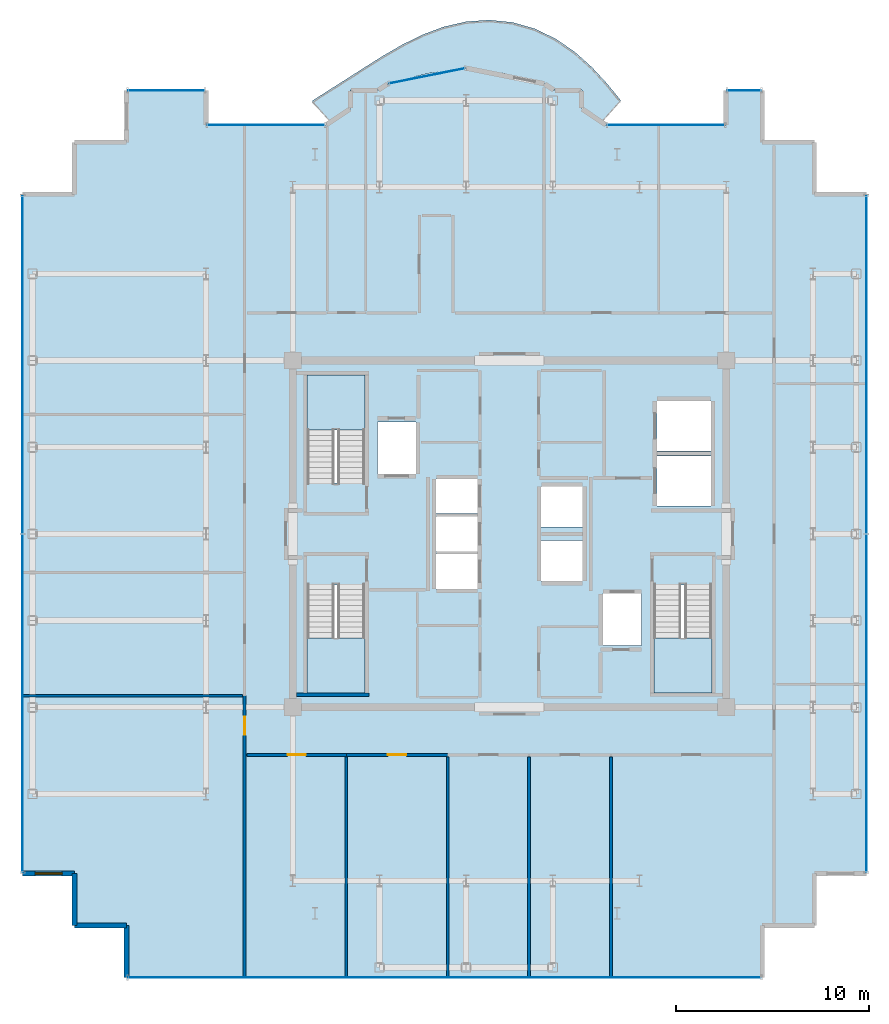
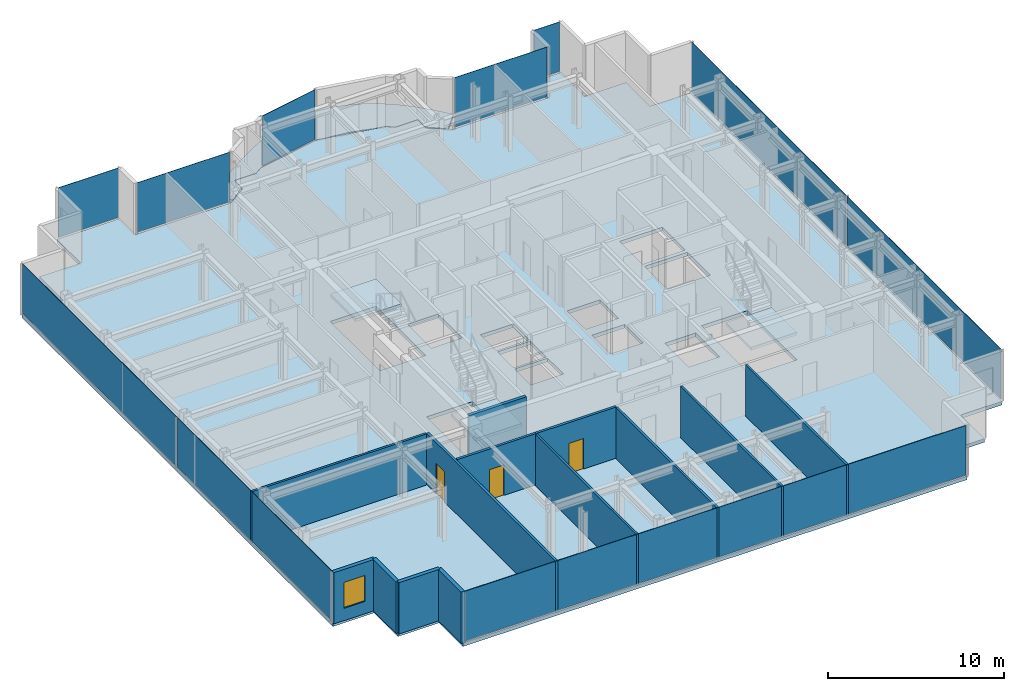
# One storey, part 12 of 18: 13 walls, 10 plates, 5 slabs, 3 doors, 1 window, 4 openings, 11 elements without a shape of their own.
"""IFC4 building model written with IfcOpenShell, lengths in metres."""

from ifc_helpers import new_model, si_unit, direction, frame, frame_2d, origin, origin_2d, place, context, subcontext, project, spatial, polyline, rectangle, outline, extrude, source, transform, mapped, material, layer, layer_set, type_object, element, fill, aggregate, save


model = new_model("IFC4")

# Units and contexts
model_context = context("Model", 3, precision=1e-05, world=origin(), true_north=direction((0.0, 1.0)))
body_context = subcontext(model_context, "Body", "Model", "MODEL_VIEW")
ifc_project = project(units=[si_unit("LENGTHUNIT", "METRE"), si_unit("AREAUNIT", "SQUARE_METRE"), si_unit("VOLUMEUNIT", "CUBIC_METRE"), si_unit("PLANEANGLEUNIT", "RADIAN"), si_unit("MASSUNIT", "GRAM", prefix="KILO")], contexts=[model_context])

# Site, building, storey
site_placement = place(None, origin())
site = spatial("IfcSite", under=ifc_project, at=site_placement, CompositionType="ELEMENT")
building_placement = place(site_placement, origin())
building = spatial("IfcBuilding", under=site, at=building_placement, Name="Nefas-Gora Pilgrimage Tower", CompositionType="ELEMENT")
storey_placement = place(building_placement, frame((0.0, 0.0, 330.0)))
storey = spatial("IfcBuildingStorey", under=building, at=storey_placement, Name="L83", CompositionType="ELEMENT", Elevation=330.0)

# Slabs
ifc_material_1 = material(Name="Concrete C40/50", Category="concrete")
ifc_layer_1 = layer(ifc_material_1, 0.22509765625)
ifc_layer_set_1 = layer_set([ifc_layer_1], Name="Concrete C40/50")
slab_type_1 = type_object("IfcSlabType", Name="SLB-BAL-P7", PredefinedType="FLOOR", material=ifc_layer_set_1)
slab_1_placement = place(storey_placement, frame((0.0, 0.0, -0.22509765625)))
element("IfcSlab", 1, at=slab_1_placement, inside=storey, type_object=slab_type_1, Name="L83 Sinusoidal Lobe Balcony Slab N (Phase 7)", PredefinedType="FLOOR", context=body_context, shape_type="SweptSolid", body=[
    extrude(outline(polyline([(-9.28759765625, 21.385986328125), (-9.224609375, 21.427978515625), (-8.538330078125, 21.9912109375), (-8.260009765625, 22.179931640625), (-8.260009765625, 23.02001953125), (-8.260009765625, 23.02099609375), (-8.259765625, 23.02197265625), (-8.259521484375, 23.02294921875), (-8.25927734375, 23.023681640625), (-8.2587890625, 23.024658203125), (-8.25830078125, 23.025634765625), (-8.2578125, 23.0263671875), (-8.257080078125, 23.027099609375), (-8.25634765625, 23.027587890625), (-8.255615234375, 23.0283203125), (-8.254638671875, 23.02880859375), (-8.25390625, 23.029296875), (-8.2529296875, 23.029541015625), (-8.251953125, 23.02978515625), (-8.2509765625, 23.030029296875), (-8.25, 23.030029296875), (-6.8271484375, 23.030029296875), (-6.31298828125, 23.37353515625), (-6.31201171875, 23.3740234375), (-6.311279296875, 23.37451171875), (-6.310302734375, 23.375), (-6.309326171875, 23.375), (-5.63037109375, 23.51025390625), (-5.102783203125, 23.685302734375), (-4.165283203125, 23.904052734375), (-3.211669921875, 24.035888671875), (-2.919921875, 24.04931640625), (-2.251953125, 24.18212890625), (-2.2509765625, 24.182373046875), (-2.25, 24.182373046875), (-2.2490234375, 24.182373046875), (-2.248046875, 24.18212890625), (-1.580078125, 24.04931640625), (-1.288330078125, 24.035888671875), (-0.334716796875, 23.904052734375), (0.602783203125, 23.685302734375), (1.13037109375, 23.51025390625), (1.809326171875, 23.375), (1.810302734375, 23.375), (1.811279296875, 23.37451171875), (1.81201171875, 23.3740234375), (1.81298828125, 23.37353515625), (2.3271484375, 23.030029296875), (3.75, 23.030029296875), (3.7509765625, 23.030029296875), (3.751953125, 23.02978515625), (3.7529296875, 23.029541015625), (3.75390625, 23.029296875), (3.754638671875, 23.02880859375), (3.755615234375, 23.0283203125), (3.75634765625, 23.027587890625), (3.757080078125, 23.027099609375), (3.7578125, 23.0263671875), (3.75830078125, 23.025634765625), (3.7587890625, 23.024658203125), (3.75927734375, 23.023681640625), (3.759521484375, 23.02294921875), (3.759765625, 23.02197265625), (3.760009765625, 23.02099609375), (3.760009765625, 23.02001953125), (3.760009765625, 22.179931640625), (4.038330078125, 21.9912109375), (4.724609375, 21.427978515625), (4.78759765625, 21.385986328125), (5.782958984375, 22.491455078125), (5.06689453125, 23.368408203125), (4.27734375, 24.2216796875), (3.392578125, 25.01220703125), (2.4033203125, 25.692138671875), (1.316650390625, 26.21630859375), (0.155517578125, 26.548583984375), (-1.046142578125, 26.6708984375), (-2.25, 26.585205078125), (-3.4208984375, 26.314208984375), (-4.53466796875, 25.896484375), (-5.580322265625, 25.37890625), (-6.563720703125, 24.807373046875), (-7.501220703125, 24.218505859375), (-8.41650390625, 23.6328125), (-9.330810546875, 23.052490234375), (-10.256591796875, 22.462158203125), (-9.28759765625, 21.385986328125)])), origin(), (0.0, 0.0, 1.0), 0.22509765625),
])
ifc_layer_2 = layer(ifc_material_1, 0.25)
ifc_layer_set_2 = layer_set([ifc_layer_2], Name="Concrete C40/50")
slab_type_2 = type_object("IfcSlabType", Name="SLB-TWR-260", PredefinedType="FLOOR", material=ifc_layer_set_2)
slab_2_placement = place(storey_placement, frame((0.0, 0.0, -0.25)))
element("IfcSlab", 2, at=slab_2_placement, inside=storey, type_object=slab_type_2, Name="L83 Structural Floor Slab", PredefinedType="FLOOR", context=body_context, shape_type="SweptSolid", body=[
    extrude(outline(polyline([(15.820068359375, -17.6201171875), (18.52001953125, -17.6201171875), (18.52001953125, 17.6201171875), (15.820068359375, 17.6201171875), (15.820068359375, 20.320068359375), (13.1201171875, 20.320068359375), (13.1201171875, 23.02001953125), (11.25, 23.02001953125), (11.25, 21.219970703125), (5.01806640625, 21.219970703125), (3.75, 22.0673828125), (3.75, 23.02001953125), (2.32421875, 23.02001953125), (1.807373046875, 23.365234375), (-2.25, 24.17236328125), (-6.307373046875, 23.365234375), (-6.82421875, 23.02001953125), (-8.25, 23.02001953125), (-8.25, 22.0673828125), (-9.51806640625, 21.219970703125), (-15.75, 21.219970703125), (-15.75, 23.02001953125), (-19.8701171875, 23.02001953125), (-19.8701171875, 20.320068359375), (-22.570068359375, 20.320068359375), (-22.570068359375, 17.6201171875), (-25.27001953125, 17.6201171875), (-25.27001953125, -17.6201171875), (-22.570068359375, -17.6201171875), (-22.570068359375, -20.320068359375), (-19.8701171875, -20.320068359375), (-19.8701171875, -23.02001953125), (13.1201171875, -23.02001953125), (13.1201171875, -20.320068359375), (15.820068359375, -20.320068359375), (15.820068359375, -17.6201171875)]), holes=[polyline([(-10.5, 2.639892578125), (-10.5, 8.25), (-7.5, 8.25), (-7.5, 2.639892578125), (-10.5, 2.639892578125)]), polyline([(10.5, -2.639892578125), (10.5, -8.25), (7.5, -8.25), (7.5, -2.639892578125), (10.5, -2.639892578125)]), polyline([(-7.5, -2.639892578125), (-7.5, -8.25), (-10.5, -8.25), (-10.5, -2.639892578125), (-7.5, -2.639892578125)]), polyline([(-6.85009765625, 5.800048828125), (-4.85009765625, 5.800048828125), (-4.85009765625, 3.10009765625), (-6.85009765625, 3.10009765625), (-6.85009765625, 5.800048828125)]), polyline([(4.85009765625, -3.10009765625), (6.85009765625, -3.10009765625), (6.85009765625, -5.800048828125), (4.85009765625, -5.800048828125), (4.85009765625, -3.10009765625)]), polyline([(7.64990234375, 4.050048828125), (10.449951171875, 4.050048828125), (10.449951171875, 1.449951171875), (7.64990234375, 1.449951171875), (7.64990234375, 4.050048828125)]), polyline([(7.64990234375, 6.89990234375), (10.449951171875, 6.89990234375), (10.449951171875, 4.300048828125), (7.64990234375, 4.300048828125), (7.64990234375, 6.89990234375)]), polyline([(-3.800048828125, -1.050048828125), (-1.64990234375, -1.050048828125), (-1.64990234375, -2.85009765625), (-3.800048828125, -2.85009765625), (-3.800048828125, -1.050048828125)]), polyline([(-3.800048828125, 0.89990234375), (-1.64990234375, 0.89990234375), (-1.64990234375, -0.89990234375), (-3.800048828125, -0.89990234375), (-3.800048828125, 0.89990234375)]), polyline([(-3.800048828125, 2.85009765625), (-1.64990234375, 2.85009765625), (-1.64990234375, 1.050048828125), (-3.800048828125, 1.050048828125), (-3.800048828125, 2.85009765625)]), polyline([(1.64990234375, -0.35009765625), (3.800048828125, -0.35009765625), (3.800048828125, -2.449951171875), (1.64990234375, -2.449951171875), (1.64990234375, -0.35009765625)]), polyline([(1.64990234375, 2.449951171875), (3.800048828125, 2.449951171875), (3.800048828125, 0.35009765625), (1.64990234375, 0.35009765625), (1.64990234375, 2.449951171875)])]), origin(), (0.0, 0.0, 1.0), 0.25),
])

# Stair, slab
ifc_material_2 = material(Name="Concrete C45/55", Category="concrete")
stair_type = type_object("IfcStairType", Name="STR-1400-R1727", PredefinedType="HALF_TURN_STAIR", material=ifc_material_2)
stair_1_placement = place(storey_placement, origin())
stair_1 = element("IfcStair", 3, at=stair_1_placement, inside=storey, type_object=stair_type, Name="L83 Pressurised Tower Exit Stair ST-01", PredefinedType="HALF_TURN_STAIR")
ifc_layer_3 = layer(ifc_material_1, 0.199951171875)
ifc_layer_set_3 = layer_set([ifc_layer_3], Name="Concrete C40/50")
slab_type_3 = type_object("IfcSlabType", Name="STR-LAND-200", PredefinedType="LANDING", material=ifc_layer_set_3)
slab_3_placement = place(storey_placement, frame((0.0, 0.0, 1.699951171875)))
slab_3 = element("IfcSlab", 4, at=slab_3_placement, type_object=slab_type_3, Name="ST-01 landing 1", PredefinedType="LANDING", context=body_context, shape_type="SweptSolid", body=[
    extrude(outline(polyline([(-7.5, 5.39990234375), (-7.5, 8.25), (-10.5, 8.25), (-10.5, 5.39990234375), (-7.5, 5.39990234375)])), origin(), (0.0, 0.0, 1.0), 0.199951171875),
])
aggregate(stair_1, [slab_3])

stair_2_placement = place(storey_placement, origin())
stair_2 = element("IfcStair", 5, at=stair_2_placement, inside=storey, type_object=stair_type, Name="L83 Pressurised Tower Exit Stair ST-02", PredefinedType="HALF_TURN_STAIR")
slab_4_placement = place(storey_placement, frame((0.0, 0.0, 1.699951171875)))
slab_4 = element("IfcSlab", 6, at=slab_4_placement, type_object=slab_type_3, Name="ST-02 landing 1", PredefinedType="LANDING", context=body_context, shape_type="SweptSolid", body=[
    extrude(outline(polyline([(7.5, -5.39990234375), (7.5, -8.25), (10.5, -8.25), (10.5, -5.39990234375), (7.5, -5.39990234375)])), origin(), (0.0, 0.0, 1.0), 0.199951171875),
])
aggregate(stair_2, [slab_4])

stair_3_placement = place(storey_placement, origin())
stair_3 = element("IfcStair", 7, at=stair_3_placement, inside=storey, type_object=stair_type, Name="L83 Pressurised Tower Exit Stair ST-03", PredefinedType="HALF_TURN_STAIR")
slab_5_placement = place(storey_placement, frame((0.0, 0.0, 1.699951171875)))
slab_5 = element("IfcSlab", 8, at=slab_5_placement, type_object=slab_type_3, Name="ST-03 landing 1", PredefinedType="LANDING", context=body_context, shape_type="SweptSolid", body=[
    extrude(outline(polyline([(-10.5, -5.39990234375), (-10.5, -8.25), (-7.5, -8.25), (-7.5, -5.39990234375), (-10.5, -5.39990234375)])), origin(), (0.0, 0.0, 1.0), 0.199951171875),
])
aggregate(stair_3, [slab_5])

# Curtain wall, plate
ifc_material_3 = material(Name="Dark ceramic-fritted solar-control aluminium-glass curtain wall", Category="aluminium")
ifc_layer_4 = layer(ifc_material_3, 0.219970703125)
ifc_layer_set_4 = layer_set([ifc_layer_4], Name="Dark ceramic-fritted solar-control aluminium-glass curtain wall")
curtain_wall_type_1 = type_object("IfcCurtainWallType", Name="CW-SYS-5", PredefinedType="NOTDEFINED", material=ifc_layer_set_4)
curtain_wall_1_placement = place(storey_placement, origin())
curtain_wall_1 = element("IfcCurtainWall", 9, at=curtain_wall_1_placement, inside=storey, type_object=curtain_wall_type_1, Name="L83 Unitised Curtain Wall CW5", PredefinedType="NOTDEFINED")
ifc_material_4 = material(Name="Dark ceramic-printed low-e insulated glass", Category="glass")
ifc_layer_5 = layer(ifc_material_4, 0.028076171875)
ifc_layer_set_5 = layer_set([ifc_layer_5], Name="Dark ceramic-printed low-e insulated glass")
plate_type_1 = type_object("IfcPlateType", Name="CWP-PNL-5", PredefinedType="CURTAIN_PANEL", material=ifc_layer_set_5)
shared_shape_1 = source(origin(), body_context, "Body", "SweptSolid", [
    extrude(rectangle(XDim=6.052001953125, YDim=0.028076171875, at=origin_2d()), origin(), (0.0, 0.0, 1.0), 3.43994140625),
])
plate_1_placement = place(storey_placement, frame((8.134033203125, 21.219970703125, 0.10009765625), z_axis=(0.0, 0.0, 1.0), x_axis=(-1.0, 0.0, 0.0)))
plate_1 = element("IfcPlate", 10, at=plate_1_placement, type_object=plate_type_1, Name="CW5 Ceramic-Fritted Glazing Panel 1", PredefinedType="CURTAIN_PANEL", context=body_context, shape_type="MappedRepresentation", body=[
    mapped(shared_shape_1, transform((0.0, 0.0, 0.0), x_axis=(1.0, 0.0, 0.0), y_axis=(0.0, 1.0, 0.0), z_axis=(0.0, 0.0, 1.0), scale=1.0)),
])
aggregate(curtain_wall_1, [plate_1])

curtain_wall_2_placement = place(storey_placement, origin())
curtain_wall_2 = element("IfcCurtainWall", 11, at=curtain_wall_2_placement, inside=storey, type_object=curtain_wall_type_1, Name="L83 Unitised Curtain Wall CW5", PredefinedType="NOTDEFINED")
plate_2_placement = place(storey_placement, frame((-12.634033203125, 21.219970703125, 0.10009765625), z_axis=(0.0, 0.0, 1.0), x_axis=(-1.0, 0.0, 0.0)))
plate_2 = element("IfcPlate", 12, at=plate_2_placement, type_object=plate_type_1, Name="CW5 Ceramic-Fritted Glazing Panel 1", PredefinedType="CURTAIN_PANEL", context=body_context, shape_type="MappedRepresentation", body=[
    mapped(shared_shape_1, transform((0.0, 0.0, 0.0), x_axis=(1.0, 0.0, 0.0), y_axis=(0.0, 1.0, 0.0), z_axis=(0.0, 0.0, 1.0), scale=1.0)),
])
aggregate(curtain_wall_2, [plate_2])

curtain_wall_3_placement = place(storey_placement, origin())
curtain_wall_3 = element("IfcCurtainWall", 13, at=curtain_wall_3_placement, inside=storey, type_object=curtain_wall_type_1, Name="L83 Unitised Curtain Wall CW5", PredefinedType="NOTDEFINED")
shared_shape_2 = source(origin(), body_context, "Body", "SweptSolid", [
    extrude(rectangle(XDim=3.956787109375, YDim=0.028076171875, at=origin_2d()), origin(), (0.0, 0.0, 1.0), 3.43994140625),
])
plate_3_placement = place(storey_placement, frame((-4.278564453125, 23.768798828125, 0.10009765625), z_axis=(0.0, 0.0, 1.0), x_axis=(-0.980782896852, -0.195102304554, 0.0)))
plate_3 = element("IfcPlate", 14, at=plate_3_placement, type_object=plate_type_1, Name="CW5 Ceramic-Fritted Glazing Panel 1", PredefinedType="CURTAIN_PANEL", context=body_context, shape_type="MappedRepresentation", body=[
    mapped(shared_shape_2, transform((0.0, 0.0, 0.0), x_axis=(1.0, 0.0, 0.0), y_axis=(0.0, 1.0, 0.0), z_axis=(0.0, 0.0, 1.0), scale=1.0)),
])
aggregate(curtain_wall_3, [plate_3])

ifc_layer_6 = layer(ifc_material_3, 0.219970703125)
ifc_layer_set_6 = layer_set([ifc_layer_6], Name="Dark ceramic-fritted solar-control aluminium-glass curtain wall")
curtain_wall_type_2 = type_object("IfcCurtainWallType", Name="CW-SYS-4", PredefinedType="NOTDEFINED", material=ifc_layer_set_6)
curtain_wall_4_placement = place(storey_placement, origin())
curtain_wall_4 = element("IfcCurtainWall", 15, at=curtain_wall_4_placement, inside=storey, type_object=curtain_wall_type_2, Name="L83 Unitised Curtain Wall CW4", PredefinedType="NOTDEFINED")
ifc_layer_7 = layer(ifc_material_4, 0.030029296875)
ifc_layer_set_7 = layer_set([ifc_layer_7], Name="Dark ceramic-printed low-e insulated glass")
plate_type_2 = type_object("IfcPlateType", Name="CWP-PNL-4", PredefinedType="CURTAIN_PANEL", material=ifc_layer_set_7)
shared_shape_3 = source(origin(), body_context, "Body", "SweptSolid", [
    extrude(rectangle(XDim=1.68994140625, YDim=0.030029296875, at=origin_2d()), origin(), (0.0, 0.0, 1.0), 3.43994140625),
])
plate_4_placement = place(storey_placement, frame((12.18505859375, 23.02001953125, 0.10009765625), z_axis=(0.0, 0.0, 1.0), x_axis=(-1.0, 0.0, 0.0)))
plate_4 = element("IfcPlate", 16, at=plate_4_placement, type_object=plate_type_2, Name="CW4 Ceramic-Fritted Glazing Panel 1", PredefinedType="CURTAIN_PANEL", context=body_context, shape_type="MappedRepresentation", body=[
    mapped(shared_shape_3, transform((0.0, 0.0, 0.0), x_axis=(1.0, 0.0, 0.0), y_axis=(0.0, 1.0, 0.0), z_axis=(0.0, 0.0, 1.0), scale=1.0)),
])
aggregate(curtain_wall_4, [plate_4])

curtain_wall_5_placement = place(storey_placement, origin())
curtain_wall_5 = element("IfcCurtainWall", 17, at=curtain_wall_5_placement, inside=storey, type_object=curtain_wall_type_2, Name="L83 Unitised Curtain Wall CW4", PredefinedType="NOTDEFINED")
shared_shape_4 = source(origin(), body_context, "Body", "SweptSolid", [
    extrude(rectangle(XDim=3.93994140625, YDim=0.030029296875, at=origin_2d()), origin(), (0.0, 0.0, 1.0), 3.43994140625),
])
plate_5_placement = place(storey_placement, frame((-17.81005859375, 23.02001953125, 0.10009765625), z_axis=(0.0, 0.0, 1.0), x_axis=(-1.0, 0.0, 0.0)))
plate_5 = element("IfcPlate", 18, at=plate_5_placement, type_object=plate_type_2, Name="CW4 Ceramic-Fritted Glazing Panel 1", PredefinedType="CURTAIN_PANEL", context=body_context, shape_type="MappedRepresentation", body=[
    mapped(shared_shape_4, transform((0.0, 0.0, 0.0), x_axis=(1.0, 0.0, 0.0), y_axis=(0.0, 1.0, 0.0), z_axis=(0.0, 0.0, 1.0), scale=1.0)),
])
aggregate(curtain_wall_5, [plate_5])

curtain_wall_6_placement = place(storey_placement, origin())
curtain_wall_6 = element("IfcCurtainWall", 19, at=curtain_wall_6_placement, inside=storey, type_object=curtain_wall_type_2, Name="L83 Unitised Curtain Wall CW4", PredefinedType="NOTDEFINED")
shared_shape_5 = source(origin(), body_context, "Body", "SweptSolid", [
    extrude(rectangle(XDim=32.81005859375, YDim=0.030029296875, at=origin_2d()), origin(), (0.0, 0.0, 1.0), 3.43994140625),
])
plate_6_placement = place(storey_placement, frame((-3.375, -23.02001953125, 0.10009765625), z_axis=(0.0, 0.0, 1.0), x_axis=(1.0, 0.0, 0.0)))
plate_6 = element("IfcPlate", 20, at=plate_6_placement, type_object=plate_type_2, Name="CW4 Ceramic-Fritted Glazing Panel 1", PredefinedType="CURTAIN_PANEL", context=body_context, shape_type="MappedRepresentation", body=[
    mapped(shared_shape_5, transform((0.0, 0.0, 0.0), x_axis=(1.0, 0.0, 0.0), y_axis=(0.0, 1.0, 0.0), z_axis=(0.0, 0.0, 1.0), scale=1.0)),
])
aggregate(curtain_wall_6, [plate_6])

# Curtain wall, plates
curtain_wall_7_placement = place(storey_placement, origin())
curtain_wall_7 = element("IfcCurtainWall", 21, at=curtain_wall_7_placement, inside=storey, type_object=curtain_wall_type_2, Name="L83 Unitised Curtain Wall CW4", PredefinedType="NOTDEFINED")
shared_shape_6 = source(origin(), body_context, "Body", "SweptSolid", [
    extrude(rectangle(XDim=17.485107421875, YDim=0.030029296875, at=origin_2d()), origin(), (0.0, 0.0, 1.0), 3.43994140625),
])
plate_7_placement = place(storey_placement, frame((18.52001953125, -8.78759765625, 0.10009765625), z_axis=(0.0, 0.0, 1.0), x_axis=(0.0, 1.0, 0.0)))
plate_7 = element("IfcPlate", 22, at=plate_7_placement, type_object=plate_type_2, Name="CW4 Ceramic-Fritted Glazing Panel 1", PredefinedType="CURTAIN_PANEL", context=body_context, shape_type="MappedRepresentation", body=[
    mapped(shared_shape_6, transform((0.0, 0.0, 0.0), x_axis=(1.0, 0.0, 0.0), y_axis=(0.0, 1.0, 0.0), z_axis=(0.0, 0.0, 1.0), scale=1.0)),
])
plate_8_placement = place(storey_placement, frame((18.52001953125, 8.78759765625, 0.10009765625), z_axis=(0.0, 0.0, 1.0), x_axis=(0.0, 1.0, 0.0)))
plate_8 = element("IfcPlate", 23, at=plate_8_placement, type_object=plate_type_2, Name="CW4 Ceramic-Fritted Glazing Panel 2", PredefinedType="CURTAIN_PANEL", context=body_context, shape_type="MappedRepresentation", body=[
    mapped(shared_shape_6, transform((0.0, 0.0, 0.0), x_axis=(1.0, 0.0, 0.0), y_axis=(0.0, 1.0, 0.0), z_axis=(0.0, 0.0, 1.0), scale=1.0)),
])
aggregate(curtain_wall_7, [plate_7, plate_8])

curtain_wall_8_placement = place(storey_placement, origin())
curtain_wall_8 = element("IfcCurtainWall", 24, at=curtain_wall_8_placement, inside=storey, type_object=curtain_wall_type_2, Name="L83 Unitised Curtain Wall CW4", PredefinedType="NOTDEFINED")
plate_9_placement = place(storey_placement, frame((-25.27001953125, 8.78759765625, 0.10009765625), z_axis=(0.0, 0.0, 1.0), x_axis=(0.0, -1.0, 0.0)))
plate_9 = element("IfcPlate", 25, at=plate_9_placement, type_object=plate_type_2, Name="CW4 Ceramic-Fritted Glazing Panel 1", PredefinedType="CURTAIN_PANEL", context=body_context, shape_type="MappedRepresentation", body=[
    mapped(shared_shape_6, transform((0.0, 0.0, 0.0), x_axis=(1.0, 0.0, 0.0), y_axis=(0.0, 1.0, 0.0), z_axis=(0.0, 0.0, 1.0), scale=1.0)),
])
plate_10_placement = place(storey_placement, frame((-25.27001953125, -8.78759765625, 0.10009765625), z_axis=(0.0, 0.0, 1.0), x_axis=(0.0, -1.0, 0.0)))
plate_10 = element("IfcPlate", 26, at=plate_10_placement, type_object=plate_type_2, Name="CW4 Ceramic-Fritted Glazing Panel 2", PredefinedType="CURTAIN_PANEL", context=body_context, shape_type="MappedRepresentation", body=[
    mapped(shared_shape_6, transform((0.0, 0.0, 0.0), x_axis=(1.0, 0.0, 0.0), y_axis=(0.0, 1.0, 0.0), z_axis=(0.0, 0.0, 1.0), scale=1.0)),
])
aggregate(curtain_wall_8, [plate_9, plate_10])

# Wall, opening, window
ifc_material_5 = material(Name="Precast concrete C45/55", Category="concrete")
ifc_layer_8 = layer(ifc_material_5, 0.239990234375)
ifc_layer_set_8 = layer_set([ifc_layer_8], Name="Precast concrete C45/55")
wall_type_1 = type_object("IfcWallType", Name="EW-SERR-240", PredefinedType="SHEAR", material=ifc_layer_set_8)
shared_shape_7 = source(origin(), body_context, "Body", "SweptSolid", [
    extrude(rectangle(XDim=2.699951171875, YDim=0.239990234375, at=frame_2d((1.35009765625, 0.0))), origin(), (0.0, 0.0, 1.0), 3.550048828125),
])
wall_1_placement = place(storey_placement, frame((-25.27001953125, -17.6201171875, 0.0), z_axis=(0.0, 0.0, 1.0), x_axis=(1.0, 0.0, 0.0)))
wall_1 = element("IfcWall", 27, at=wall_1_placement, inside=storey, type_object=wall_type_1, Name="L83 Serrated Corner Shear Pier Wall 21", PredefinedType="SHEAR", context=body_context, shape_type="MappedRepresentation", body=[
    mapped(shared_shape_7, transform((0.0, 0.0, 0.0), x_axis=(1.0, 0.0, 0.0), y_axis=(0.0, 1.0, 0.0), z_axis=(0.0, 0.0, 1.0), scale=1.0)),
])
opening_1_placement = place(wall_1_placement, frame((0.64990234375, 0.0, 0.85009765625)))
opening_1 = element("IfcOpeningElement", 28, at=opening_1_placement, cuts=wall_1, Name="Opening W-V2", PredefinedType="OPENING", context=body_context, shape_type="SweptSolid", body=[
    extrude(rectangle(XDim=1.39990234375, YDim=1.800048828125, at=frame_2d((0.699951171875, 0.89990234375))), frame((0.0, 0.1298828125, 0.0), z_axis=(0.0, -1.0, 0.0), x_axis=(1.0, 0.0, 0.0)), (0.0, 0.0, 1.0), 0.260009765625),
])
ifc_material_6 = material(Name="Dark ceramic-fritted operable aluminium-glass window", Category="aluminium")
window_type = type_object("IfcWindowType", Name="WIN-VENT-1400x1800", PartitioningType="SINGLE_PANEL", PredefinedType="WINDOW", material=ifc_material_6)
shared_shape_8 = source(origin(), body_context, "Body", "SweptSolid", [
    extrude(rectangle(XDim=1.39990234375, YDim=1.800048828125, at=frame_2d((0.699951171875, 0.89990234375))), frame((0.0, 0.030029296875, 0.0), z_axis=(0.0, -1.0, 0.0), x_axis=(1.0, 0.0, 0.0)), (0.0, 0.0, 1.0), 0.06005859375),
])
window_placement = place(opening_1_placement, origin())
window = element("IfcWindow", 29, at=window_placement, inside=storey, type_object=window_type, Name="L83 Operable Parallel-Outswing Window 21", OverallHeight=1.800048828125, OverallWidth=1.39990234375, PartitioningType="SINGLE_PANEL", PredefinedType="WINDOW", context=body_context, shape_type="MappedRepresentation", body=[
    mapped(shared_shape_8, transform((0.0, 0.0, 0.0), x_axis=(1.0, 0.0, 0.0), y_axis=(0.0, 1.0, 0.0), z_axis=(0.0, 0.0, 1.0), scale=1.0)),
])
fill(opening_1, window)

# Walls
for number, where, z_axis, x_axis, name in (
    (30, (-22.570068359375, -17.6201171875, 0.0), (0.0, 0.0, 1.0), (0.0, -1.0, 0.0), "L83 Serrated Corner Shear Pier Wall 22"),
    (31, (-22.570068359375, -20.320068359375, 0.0), (0.0, 0.0, 1.0), (1.0, 0.0, 0.0), "L83 Serrated Corner Shear Pier Wall 23"),
    (32, (-19.8701171875, -20.320068359375, 0.0), (0.0, 0.0, 1.0), (0.0, -1.0, 0.0), "L83 Serrated Corner Shear Pier Wall 24"),
):
    element("IfcWall", number, at=place(storey_placement, frame(where, z_axis=z_axis, x_axis=x_axis)), inside=storey, type_object=wall_type_1, Name=name, PredefinedType="SHEAR", context=body_context, shape_type="MappedRepresentation", body=[
        mapped(shared_shape_7, transform((0.0, 0.0, 0.0), x_axis=(1.0, 0.0, 0.0), y_axis=(0.0, 1.0, 0.0), z_axis=(0.0, 0.0, 1.0), scale=1.0)),
    ])
ifc_layer_9 = layer(ifc_material_2, 0.199951171875)
ifc_layer_set_9 = layer_set([ifc_layer_9], Name="Concrete C45/55")
wall_type_2 = type_object("IfcWallType", Name="IW-STAIR-200", PredefinedType="SOLIDWALL", material=ifc_layer_set_9)
shared_shape_9 = source(origin(), body_context, "Body", "SweptSolid", [
    extrude(rectangle(XDim=3.7548828125, YDim=0.199951171875, at=frame_2d((1.87744140625, 0.0))), origin(), (0.0, 0.0, 1.0), 3.800048828125),
])
wall_2_placement = place(storey_placement, frame((-11.054931640625, -8.35009765625, 0.0), z_axis=(0.0, 0.0, 1.0), x_axis=(1.0, 0.0, 0.0)))
element("IfcWall", 33, at=wall_2_placement, inside=storey, type_object=wall_type_2, Name="L83 Stairwell Shear Wall ST-03-far", PredefinedType="SOLIDWALL", context=body_context, shape_type="MappedRepresentation", body=[
    mapped(shared_shape_9, transform((0.0, 0.0, 0.0), x_axis=(1.0, 0.0, 0.0), y_axis=(0.0, 1.0, 0.0), z_axis=(0.0, 0.0, 1.0), scale=1.0)),
])

# Wall, opening, door
ifc_material_7 = material(Name="Gypsum acoustic stud partition")
ifc_layer_10 = layer(ifc_material_7, 0.159912109375)
ifc_layer_set_10 = layer_set([ifc_layer_10], Name="Gypsum acoustic stud partition")
wall_type_3 = type_object("IfcWallType", Name="IW-CORR-160", PredefinedType="PARTITIONING", material=ifc_layer_set_10)
shared_shape_10 = source(origin(), body_context, "Body", "SweptSolid", [
    extrude(rectangle(XDim=14.64501953125, YDim=0.159912109375, at=frame_2d((7.322509765625, 0.0))), origin(), (0.0, 0.0, 1.0), 3.534912109375),
])
wall_3_placement = place(storey_placement, frame((-13.739990234375, -23.0400390625, 0.0), z_axis=(0.0, 0.0, 1.0), x_axis=(0.0, 1.0, 0.0)))
wall_3 = element("IfcWall", 34, at=wall_3_placement, inside=storey, type_object=wall_type_3, Name="L83 Pilgrim Tea and Beverage Pantry Partition Wall 39", PredefinedType="PARTITIONING", context=body_context, shape_type="MappedRepresentation", body=[
    mapped(shared_shape_10, transform((0.0, 0.0, 0.0), x_axis=(1.0, 0.0, 0.0), y_axis=(0.0, 1.0, 0.0), z_axis=(0.0, 0.0, 1.0), scale=1.0)),
])
opening_2_placement = place(wall_3_placement, frame((12.612548828125, 0.0, 0.0)))
opening_2 = element("IfcOpeningElement", 35, at=opening_2_placement, cuts=wall_3, Name="Opening ID-GR1", PredefinedType="OPENING", context=body_context, shape_type="SweptSolid", body=[
    extrude(rectangle(XDim=0.949951171875, YDim=2.10009765625, at=frame_2d((0.47509765625, 1.050048828125))), frame((0.0, 0.08984375, 0.0), z_axis=(0.0, -1.0, 0.0), x_axis=(1.0, 0.0, 0.0)), (0.0, 0.0, 1.0), 0.179931640625),
])
ifc_material_8 = material(Name="Solid core oak fire-rated guest entrance door")
door_type = type_object("IfcDoorType", Name="DR-INT-GUEST-950", OperationType="NOTDEFINED", PredefinedType="DOOR", material=ifc_material_8)
shared_shape_11 = source(origin(), body_context, "Body", "SweptSolid", [
    extrude(rectangle(XDim=0.949951171875, YDim=2.10009765625, at=frame_2d((0.47509765625, 1.050048828125))), frame((0.0, 0.02490234375, 0.0), z_axis=(0.0, -1.0, 0.0), x_axis=(1.0, 0.0, 0.0)), (0.0, 0.0, 1.0), 0.050048828125),
])
door_1_placement = place(opening_2_placement, origin())
door_1 = element("IfcDoor", 36, at=door_1_placement, inside=storey, type_object=door_type, Name="L83 Pilgrim Tea and Beverage Pantry Door 16", OperationType="SINGLE_SWING_LEFT", OverallHeight=2.10009765625, OverallWidth=0.949951171875, PredefinedType="DOOR", context=body_context, shape_type="MappedRepresentation", body=[
    mapped(shared_shape_11, transform((0.0, 0.0, 0.0), x_axis=(1.0, 0.0, 0.0), y_axis=(0.0, 1.0, 0.0), z_axis=(0.0, 0.0, 1.0), scale=1.0)),
])
fill(opening_2, door_1)

# Walls
ifc_material_9 = material(Name="Gypsum twin-stud partition")
ifc_layer_11 = layer(ifc_material_9, 0.139892578125)
ifc_layer_set_11 = layer_set([ifc_layer_11], Name="Gypsum twin-stud partition")
wall_type_4 = type_object("IfcWallType", Name="IW-UNIT-140", PredefinedType="PARTITIONING", material=ifc_layer_set_11)
shared_shape_12 = source(origin(), body_context, "Body", "SweptSolid", [
    extrude(rectangle(XDim=11.429931640625, YDim=0.139892578125, at=frame_2d((5.71484375, 0.0))), origin(), (0.0, 0.0, 1.0), 3.534912109375),
])
wall_4_placement = place(storey_placement, frame((-25.2900390625, -8.405029296875, 0.0), z_axis=(0.0, 0.0, 1.0), x_axis=(1.0, 0.0, 0.0)))
element("IfcWall", 37, at=wall_4_placement, inside=storey, type_object=wall_type_4, Name="L83 Pilgrim Tea and Beverage Pantry Partition Wall 40", PredefinedType="PARTITIONING", context=body_context, shape_type="MappedRepresentation", body=[
    mapped(shared_shape_12, transform((0.0, 0.0, 0.0), x_axis=(1.0, 0.0, 0.0), y_axis=(0.0, 1.0, 0.0), z_axis=(0.0, 0.0, 1.0), scale=1.0)),
])
shared_shape_13 = source(origin(), body_context, "Body", "SweptSolid", [
    extrude(rectangle(XDim=11.449951171875, YDim=0.139892578125, at=frame_2d((5.72509765625, 0.0))), origin(), (0.0, 0.0, 1.0), 3.534912109375),
])
for number, where, z_axis, x_axis, name in (
    (38, (-8.469970703125, -23.0400390625, 0.0), (0.0, 0.0, 1.0), (0.0, 1.0, 0.0), "L83 Pilgrim Contemplative Lounge Partition Wall 62"),
    (39, (-3.205078125, -23.0400390625, 0.0), (0.0, 0.0, 1.0), (0.0, 1.0, 0.0), "L83 Pilgrim Contemplative Lounge Partition Wall 64"),
    (40, (5.27001953125, -23.0400390625, 0.0), (0.0, 0.0, 1.0), (0.0, 1.0, 0.0), "L83 Pilgrim Contemplative Lounge Partition Wall 66"),
    (41, (1.017578125, -23.0400390625, 0.0), (0.0, 0.0, 1.0), (0.0, 1.0, 0.0), "L83 Pilgrim Contemplative Lounge Partition Wall 68"),
):
    element("IfcWall", number, at=place(storey_placement, frame(where, z_axis=z_axis, x_axis=x_axis)), inside=storey, type_object=wall_type_4, Name=name, PredefinedType="PARTITIONING", context=body_context, shape_type="MappedRepresentation", body=[
        mapped(shared_shape_13, transform((0.0, 0.0, 0.0), x_axis=(1.0, 0.0, 0.0), y_axis=(0.0, 1.0, 0.0), z_axis=(0.0, 0.0, 1.0), scale=1.0)),
    ])

# Wall, opening, door
shared_shape_14 = source(origin(), body_context, "Body", "SweptSolid", [
    extrude(rectangle(XDim=5.16015625, YDim=0.159912109375, at=frame_2d((2.580078125, 0.0))), origin(), (0.0, 0.0, 1.0), 3.534912109375),
])
wall_5_placement = place(storey_placement, frame((-13.6201171875, -11.469970703125, 0.0), z_axis=(0.0, 0.0, 1.0), x_axis=(1.0, 0.0, 0.0)))
wall_5 = element("IfcWall", 42, at=wall_5_placement, inside=storey, type_object=wall_type_3, Name="L83 Pilgrim Contemplative Lounge Partition Wall 61", PredefinedType="PARTITIONING", context=body_context, shape_type="MappedRepresentation", body=[
    mapped(shared_shape_14, transform((0.0, 0.0, 0.0), x_axis=(1.0, 0.0, 0.0), y_axis=(0.0, 1.0, 0.0), z_axis=(0.0, 0.0, 1.0), scale=1.0)),
])
opening_3_placement = place(wall_5_placement, frame((2.10498046875, 0.0, 0.0)))
opening_3 = element("IfcOpeningElement", 43, at=opening_3_placement, cuts=wall_5, Name="Opening ID-GR1", PredefinedType="OPENING", context=body_context, shape_type="SweptSolid", body=[
    extrude(rectangle(XDim=0.949951171875, YDim=2.10009765625, at=frame_2d((0.47509765625, 1.050048828125))), frame((0.0, 0.08984375, 0.0), z_axis=(0.0, -1.0, 0.0), x_axis=(1.0, 0.0, 0.0)), (0.0, 0.0, 1.0), 0.179931640625),
])
door_2_placement = place(opening_3_placement, origin())
door_2 = element("IfcDoor", 44, at=door_2_placement, inside=storey, type_object=door_type, Name="L83 Pilgrim Contemplative Lounge Door 27", OperationType="SINGLE_SWING_RIGHT", OverallHeight=2.10009765625, OverallWidth=0.949951171875, PredefinedType="DOOR", context=body_context, shape_type="MappedRepresentation", body=[
    mapped(shared_shape_11, transform((0.0, 0.0, 0.0), x_axis=(1.0, 0.0, 0.0), y_axis=(0.0, 1.0, 0.0), z_axis=(0.0, 0.0, 1.0), scale=1.0)),
])
fill(opening_3, door_2)

shared_shape_15 = source(origin(), body_context, "Body", "SweptSolid", [
    extrude(rectangle(XDim=5.264892578125, YDim=0.159912109375, at=frame_2d((2.63232421875, 0.0))), origin(), (0.0, 0.0, 1.0), 3.534912109375),
])
wall_6_placement = place(storey_placement, frame((-8.4599609375, -11.469970703125, 0.0), z_axis=(0.0, 0.0, 1.0), x_axis=(1.0, 0.0, 0.0)))
wall_6 = element("IfcWall", 45, at=wall_6_placement, inside=storey, type_object=wall_type_3, Name="L83 Pilgrim Contemplative Lounge Partition Wall 63", PredefinedType="PARTITIONING", context=body_context, shape_type="MappedRepresentation", body=[
    mapped(shared_shape_15, transform((0.0, 0.0, 0.0), x_axis=(1.0, 0.0, 0.0), y_axis=(0.0, 1.0, 0.0), z_axis=(0.0, 0.0, 1.0), scale=1.0)),
])
opening_4_placement = place(wall_6_placement, frame((2.157470703125, 0.0, 0.0)))
opening_4 = element("IfcOpeningElement", 46, at=opening_4_placement, cuts=wall_6, Name="Opening ID-GR1", PredefinedType="OPENING", context=body_context, shape_type="SweptSolid", body=[
    extrude(rectangle(XDim=0.949951171875, YDim=2.10009765625, at=frame_2d((0.47509765625, 1.050048828125))), frame((0.0, 0.08984375, 0.0), z_axis=(0.0, -1.0, 0.0), x_axis=(1.0, 0.0, 0.0)), (0.0, 0.0, 1.0), 0.179931640625),
])
door_3_placement = place(opening_4_placement, origin())
door_3 = element("IfcDoor", 47, at=door_3_placement, inside=storey, type_object=door_type, Name="L83 Pilgrim Contemplative Lounge Door 28", OperationType="SINGLE_SWING_LEFT", OverallHeight=2.10009765625, OverallWidth=0.949951171875, PredefinedType="DOOR", context=body_context, shape_type="MappedRepresentation", body=[
    mapped(shared_shape_11, transform((0.0, 0.0, 0.0), x_axis=(1.0, 0.0, 0.0), y_axis=(0.0, 1.0, 0.0), z_axis=(0.0, 0.0, 1.0), scale=1.0)),
])
fill(opening_4, door_3)

save(model, "model.ifc")
